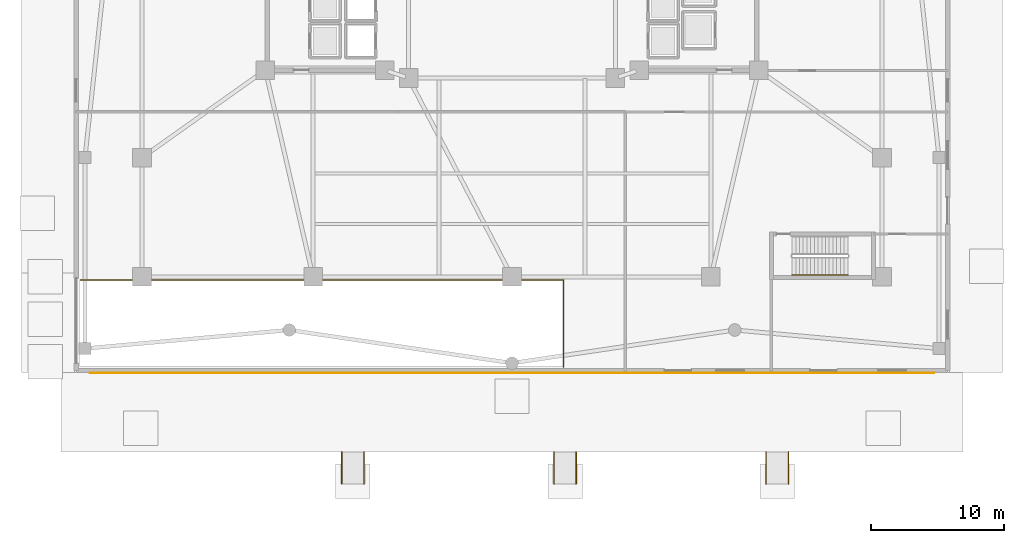
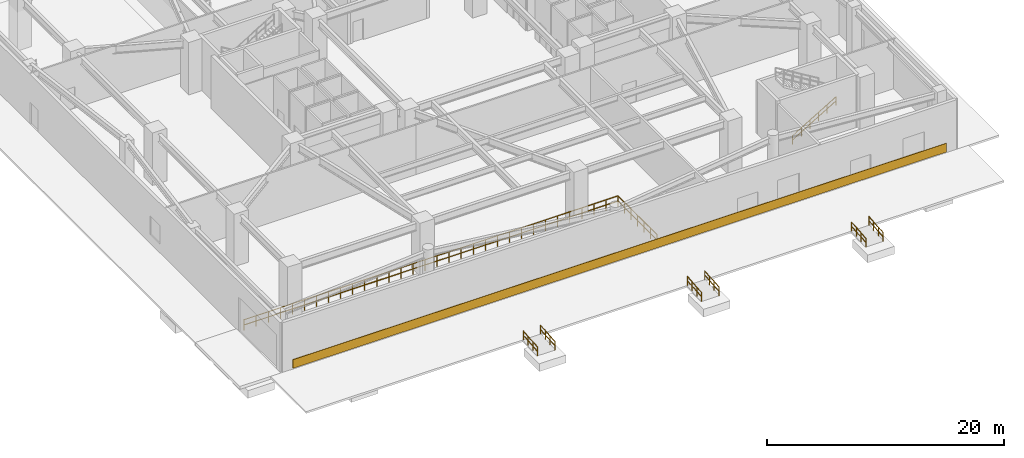
# One storey, part 13 of 18: 8 railings, 1 covering.
"""IFC4 building model written with IfcOpenShell, lengths in metres."""

from ifc_helpers import new_model, si_unit, direction, frame, origin, origin_2d, place, context, subcontext, project, spatial, rectangle, circle, extrude, material, layer, layer_set, type_object, element, save


model = new_model("IFC4")

# Units and contexts
model_context = context("Model", 3, precision=1e-05, world=origin(), true_north=direction((0.0, 1.0)))
body_context = subcontext(model_context, "Body", "Model", "MODEL_VIEW")
ifc_project = project(units=[si_unit("LENGTHUNIT", "METRE"), si_unit("AREAUNIT", "SQUARE_METRE"), si_unit("VOLUMEUNIT", "CUBIC_METRE"), si_unit("PLANEANGLEUNIT", "RADIAN"), si_unit("MASSUNIT", "GRAM", prefix="KILO")], contexts=[model_context])

# Site, building, storey
site_placement = place(None, origin())
site = spatial("IfcSite", under=ifc_project, at=site_placement, CompositionType="ELEMENT")
building_placement = place(site_placement, origin())
building = spatial("IfcBuilding", under=site, at=building_placement, Name="Tarnavaz Court Tower", CompositionType="ELEMENT")
storey_placement = place(building_placement, origin())
storey = spatial("IfcBuildingStorey", under=building, at=storey_placement, Name="L00", CompositionType="ELEMENT", Elevation=0.0)

# Covering
ifc_material_1 = material(Name="Doha Buff Limestone Ashlar Rainscreen", Category="masonry")
ifc_layer = layer(ifc_material_1, 0.050048828125)
ifc_layer_set = layer_set([ifc_layer], Name="Doha Buff Limestone Ashlar Rainscreen")
covering_type = type_object("IfcCoveringType", Name="CV-CLAD-LIME", PredefinedType="CLADDING", material=ifc_layer_set)
covering_placement = place(storey_placement, frame((0.0, -30.034912109375, 0.10009765625), z_axis=(0.0, 0.0, 1.0), x_axis=(-1.0, 0.0, 0.0)))
element("IfcCovering", 1, at=covering_placement, inside=storey, type_object=covering_type, Name="L00 Buff Limestone Base Cladding 03", PredefinedType="CLADDING", context=body_context, shape_type="SweptSolid", body=[
    extrude(rectangle(XDim=63.699951171875, YDim=0.050048828125, at=origin_2d()), origin(), (0.0, 0.0, 1.0), 0.89990234375),
])

# Railings
ifc_material_2 = material(Name="Galvanized Powder-Coated Steel Guardrail", Category="steel")
railing_type_1 = type_object("IfcRailingType", Name="RL-DECK-1120", PredefinedType="GUARDRAIL", material=ifc_material_2)
railing_1_placement = place(storey_placement, frame((-32.550048828125, -23.02001953125, 0.0)))
element("IfcRailing", 2, at=railing_1_placement, inside=storey, type_object=railing_type_1, Name="L00 Car Park Ramp Void Safety Guardrail", PredefinedType="GUARDRAIL", context=body_context, shape_type="SweptSolid", body=[
    extrude(circle(Radius=0.02392578125, at=origin_2d()), frame((0.0, 0.0, 1.09619140625), z_axis=(1.0, 0.0, 0.0), x_axis=(0.0, 1.0, 0.0)), (0.0, 0.0, 1.0), 36.429931640625),
    extrude(circle(Radius=0.02392578125, at=origin_2d()), frame((0.0, 0.0, 0.56005859375), z_axis=(1.0, 0.0, 0.0), x_axis=(0.0, 1.0, 0.0)), (0.0, 0.0, 1.0), 36.429931640625),
    extrude(circle(Radius=0.02392578125, at=origin_2d()), frame((36.429931640625, 0.0, 1.09619140625), z_axis=(0.0, -1.0, 0.0), x_axis=(1.0, 0.0, 0.0)), (0.0, 0.0, 1.0), 6.580078125),
    extrude(circle(Radius=0.02392578125, at=origin_2d()), frame((36.429931640625, 0.0, 0.56005859375), z_axis=(0.0, -1.0, 0.0), x_axis=(1.0, 0.0, 0.0)), (0.0, 0.0, 1.0), 6.580078125),
    extrude(circle(Radius=0.02099609375, at=origin_2d()), origin(), (0.0, 0.0, 1.0), 1.072021484375),
    extrude(circle(Radius=0.02099609375, at=origin_2d()), frame((1.175048828125, 0.0, 0.0)), (0.0, 0.0, 1.0), 1.072021484375),
    extrude(circle(Radius=0.02099609375, at=origin_2d()), frame((2.350341796875, 0.0, 0.0)), (0.0, 0.0, 1.0), 1.072021484375),
    extrude(circle(Radius=0.02099609375, at=origin_2d()), frame((3.525390625, 0.0, 0.0)), (0.0, 0.0, 1.0), 1.072021484375),
    extrude(circle(Radius=0.02099609375, at=origin_2d()), frame((4.70068359375, 0.0, 0.0)), (0.0, 0.0, 1.0), 1.072021484375),
    extrude(circle(Radius=0.02099609375, at=origin_2d()), frame((5.875732421875, 0.0, 0.0)), (0.0, 0.0, 1.0), 1.072021484375),
    extrude(circle(Radius=0.02099609375, at=origin_2d()), frame((7.051025390625, 0.0, 0.0)), (0.0, 0.0, 1.0), 1.072021484375),
    extrude(circle(Radius=0.02099609375, at=origin_2d()), frame((8.22607421875, 0.0, 0.0)), (0.0, 0.0, 1.0), 1.072021484375),
    extrude(circle(Radius=0.02099609375, at=origin_2d()), frame((9.4013671875, 0.0, 0.0)), (0.0, 0.0, 1.0), 1.072021484375),
    extrude(circle(Radius=0.02099609375, at=origin_2d()), frame((10.576416015625, 0.0, 0.0)), (0.0, 0.0, 1.0), 1.072021484375),
    extrude(circle(Radius=0.02099609375, at=origin_2d()), frame((11.751708984375, 0.0, 0.0)), (0.0, 0.0, 1.0), 1.072021484375),
    extrude(circle(Radius=0.02099609375, at=origin_2d()), frame((12.9267578125, 0.0, 0.0)), (0.0, 0.0, 1.0), 1.072021484375),
    extrude(circle(Radius=0.02099609375, at=origin_2d()), frame((14.101806640625, 0.0, 0.0)), (0.0, 0.0, 1.0), 1.072021484375),
    extrude(circle(Radius=0.02099609375, at=origin_2d()), frame((15.277099609375, 0.0, 0.0)), (0.0, 0.0, 1.0), 1.072021484375),
    extrude(circle(Radius=0.02099609375, at=origin_2d()), frame((16.4521484375, 0.0, 0.0)), (0.0, 0.0, 1.0), 1.072021484375),
    extrude(circle(Radius=0.02099609375, at=origin_2d()), frame((17.62744140625, 0.0, 0.0)), (0.0, 0.0, 1.0), 1.072021484375),
    extrude(circle(Radius=0.02099609375, at=origin_2d()), frame((18.802490234375, 0.0, 0.0)), (0.0, 0.0, 1.0), 1.072021484375),
    extrude(circle(Radius=0.02099609375, at=origin_2d()), frame((19.977783203125, 0.0, 0.0)), (0.0, 0.0, 1.0), 1.072021484375),
    extrude(circle(Radius=0.02099609375, at=origin_2d()), frame((21.15283203125, 0.0, 0.0)), (0.0, 0.0, 1.0), 1.072021484375),
    extrude(circle(Radius=0.02099609375, at=origin_2d()), frame((22.328125, 0.0, 0.0)), (0.0, 0.0, 1.0), 1.072021484375),
    extrude(circle(Radius=0.02099609375, at=origin_2d()), frame((23.503173828125, 0.0, 0.0)), (0.0, 0.0, 1.0), 1.072021484375),
    extrude(circle(Radius=0.02099609375, at=origin_2d()), frame((24.67822265625, 0.0, 0.0)), (0.0, 0.0, 1.0), 1.072021484375),
    extrude(circle(Radius=0.02099609375, at=origin_2d()), frame((25.853515625, 0.0, 0.0)), (0.0, 0.0, 1.0), 1.072021484375),
    extrude(circle(Radius=0.02099609375, at=origin_2d()), frame((27.028564453125, 0.0, 0.0)), (0.0, 0.0, 1.0), 1.072021484375),
    extrude(circle(Radius=0.02099609375, at=origin_2d()), frame((28.203857421875, 0.0, 0.0)), (0.0, 0.0, 1.0), 1.072021484375),
    extrude(circle(Radius=0.02099609375, at=origin_2d()), frame((29.37890625, 0.0, 0.0)), (0.0, 0.0, 1.0), 1.072021484375),
    extrude(circle(Radius=0.02099609375, at=origin_2d()), frame((30.55419921875, 0.0, 0.0)), (0.0, 0.0, 1.0), 1.072021484375),
    extrude(circle(Radius=0.02099609375, at=origin_2d()), frame((31.729248046875, 0.0, 0.0)), (0.0, 0.0, 1.0), 1.072021484375),
    extrude(circle(Radius=0.02099609375, at=origin_2d()), frame((32.904541015625, 0.0, 0.0)), (0.0, 0.0, 1.0), 1.072021484375),
    extrude(circle(Radius=0.02099609375, at=origin_2d()), frame((34.07958984375, 0.0, 0.0)), (0.0, 0.0, 1.0), 1.072021484375),
    extrude(circle(Radius=0.02099609375, at=origin_2d()), frame((35.2548828125, 0.0, 0.0)), (0.0, 0.0, 1.0), 1.072021484375),
    extrude(circle(Radius=0.02099609375, at=origin_2d()), frame((36.429931640625, 0.0, 0.0)), (0.0, 0.0, 1.0), 1.072021484375),
    extrude(circle(Radius=0.02099609375, at=origin_2d()), frame((36.429931640625, -1.0966796875, 0.0)), (0.0, 0.0, 1.0), 1.072021484375),
    extrude(circle(Radius=0.02099609375, at=origin_2d()), frame((36.429931640625, -2.193359375, 0.0)), (0.0, 0.0, 1.0), 1.072021484375),
    extrude(circle(Radius=0.02099609375, at=origin_2d()), frame((36.429931640625, -3.2900390625, 0.0)), (0.0, 0.0, 1.0), 1.072021484375),
    extrude(circle(Radius=0.02099609375, at=origin_2d()), frame((36.429931640625, -4.38671875, 0.0)), (0.0, 0.0, 1.0), 1.072021484375),
    extrude(circle(Radius=0.02099609375, at=origin_2d()), frame((36.429931640625, -5.4833984375, 0.0)), (0.0, 0.0, 1.0), 1.072021484375),
    extrude(circle(Radius=0.02099609375, at=origin_2d()), frame((36.429931640625, -6.580078125, 0.0)), (0.0, 0.0, 1.0), 1.072021484375),
])
ifc_material_3 = material(Name="Brushed Stainless Steel", Category="steel")
railing_type_2 = type_object("IfcRailingType", Name="RL-HANDRAIL-900", PredefinedType="HANDRAIL", material=ifc_material_3)
railing_2_placement = place(storey_placement, frame((21.1201171875, -22.64990234375, 0.168701171875)))
element("IfcRailing", 3, at=railing_2_placement, inside=storey, type_object=railing_type_2, Name="L00 ST-P1 stair handrail 1", PredefinedType="HANDRAIL", context=body_context, shape_type="SweptSolid", body=[
    extrude(circle(Radius=0.02392578125, at=origin_2d()), frame((0.0, 0.0, 0.8759765625), z_axis=(0.856476492594, 0.0, 0.516186030065), x_axis=(0.0, 1.0, 0.0)), (0.0, 0.0, 1.0), 4.90380859375),
    extrude(circle(Radius=0.02392578125, at=origin_2d()), frame((0.0, 0.0, 0.449951171875), z_axis=(0.856476492594, 0.0, 0.516186030065), x_axis=(0.0, 1.0, 0.0)), (0.0, 0.0, 1.0), 4.90380859375),
    extrude(circle(Radius=0.02099609375, at=origin_2d()), origin(), (0.0, 0.0, 1.0), 0.851806640625),
    extrude(circle(Radius=0.02099609375, at=origin_2d()), frame((0.840087890625, 0.0, 0.50634765625)), (0.0, 0.0, 1.0), 0.851806640625),
    extrude(circle(Radius=0.02099609375, at=origin_2d()), frame((1.679931640625, 0.0, 1.012451171875)), (0.0, 0.0, 1.0), 0.851806640625),
    extrude(circle(Radius=0.02099609375, at=origin_2d()), frame((2.52001953125, 0.0, 1.518798828125)), (0.0, 0.0, 1.0), 0.851806640625),
    extrude(circle(Radius=0.02099609375, at=origin_2d()), frame((3.35986328125, 0.0, 2.02490234375)), (0.0, 0.0, 1.0), 0.851806640625),
    extrude(circle(Radius=0.02099609375, at=origin_2d()), frame((4.199951171875, 0.0, 2.53125)), (0.0, 0.0, 1.0), 0.851806640625),
])
for number, where, name in (
    (4, (-12.840087890625, -38.39990234375, -0.199951171875), "L00 Accessible Ramp AR1 W Handrail"),
    (5, (-11.159912109375, -38.39990234375, -0.199951171875), "L00 Accessible Ramp AR1 E Handrail"),
    (6, (3.159912109375, -38.39990234375, -0.199951171875), "L00 Accessible Ramp AR2 W Handrail"),
    (7, (4.840087890625, -38.39990234375, -0.199951171875), "L00 Accessible Ramp AR2 E Handrail"),
    (8, (19.159912109375, -38.39990234375, -0.199951171875), "L00 Accessible Ramp AR3 W Handrail"),
    (9, (20.840087890625, -38.39990234375, -0.199951171875), "L00 Accessible Ramp AR3 E Handrail"),
):
    element("IfcRailing", number, at=place(storey_placement, frame(where)), inside=storey, type_object=railing_type_2, Name=name, PredefinedType="HANDRAIL", context=body_context, shape_type="SweptSolid", body=[
        extrude(circle(Radius=0.02392578125, at=origin_2d()), frame((0.0, 0.0, 0.89599609375), z_axis=(0.0, 0.996547156423, 0.083028700011), x_axis=(-1.0, 0.0, 0.0)), (0.0, 0.0, 1.0), 2.408203125),
        extrude(circle(Radius=0.02392578125, at=origin_2d()), frame((0.0, 0.0, 0.4599609375), z_axis=(0.0, 0.996547156423, 0.083028700011), x_axis=(-1.0, 0.0, 0.0)), (0.0, 0.0, 1.0), 2.408203125),
        extrude(circle(Radius=0.02099609375, at=origin_2d()), origin(), (0.0, 0.0, 1.0), 0.871826171875),
        extrude(circle(Radius=0.02099609375, at=origin_2d()), frame((0.0, 0.800048828125, 0.066650390625)), (0.0, 0.0, 1.0), 0.871826171875),
        extrude(circle(Radius=0.02099609375, at=origin_2d()), frame((0.0, 1.599853515625, 0.13330078125)), (0.0, 0.0, 1.0), 0.871826171875),
        extrude(circle(Radius=0.02099609375, at=origin_2d()), frame((0.0, 2.39990234375, 0.199951171875)), (0.0, 0.0, 1.0), 0.871826171875),
    ])

save(model, "model.ifc")
